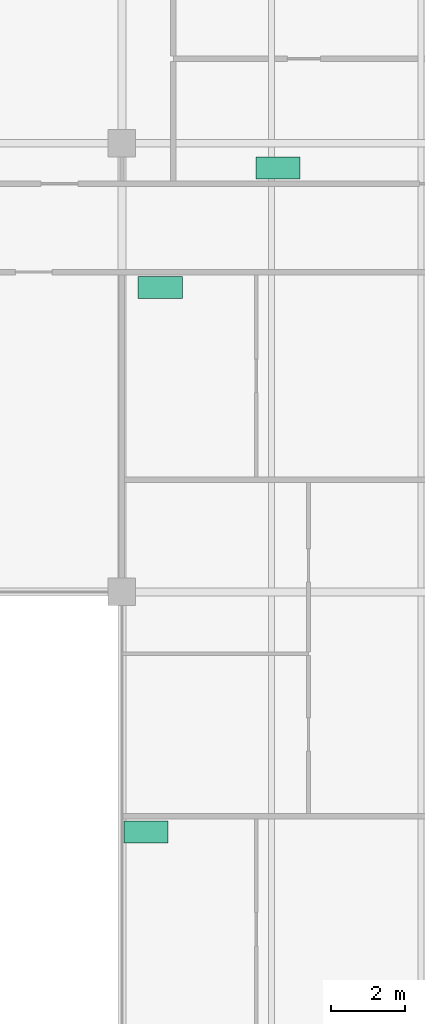
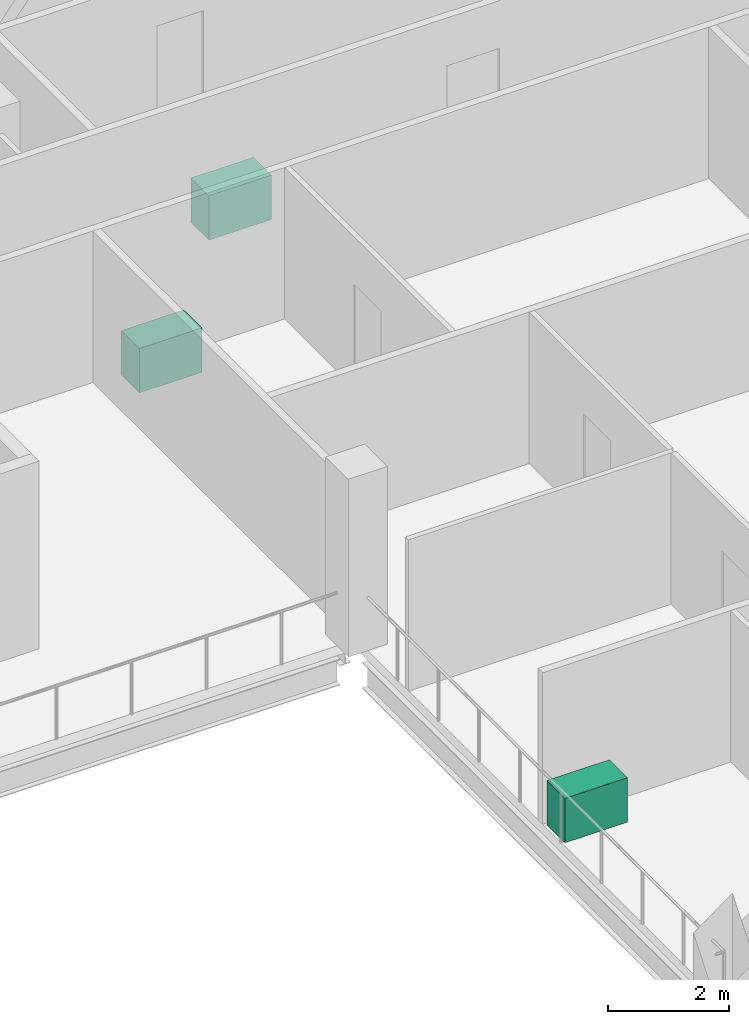
# One storey, part 12 of 12: 3 sanitary terminals.
"""IFC4 building model written with IfcOpenShell, lengths in metres."""

from ifc_helpers import new_model, si_unit, direction, frame, origin, origin_2d, place, context, subcontext, project, spatial, rectangle, extrude, material, type_object, element, save


model = new_model("IFC4")

# Units and contexts
model_context = context("Model", 3, precision=1e-05, world=origin(), true_north=direction((0.0, 1.0)))
body_context = subcontext(model_context, "Body", "Model", "MODEL_VIEW")
ifc_project = project(units=[si_unit("LENGTHUNIT", "METRE"), si_unit("AREAUNIT", "SQUARE_METRE"), si_unit("VOLUMEUNIT", "CUBIC_METRE"), si_unit("PLANEANGLEUNIT", "RADIAN"), si_unit("MASSUNIT", "GRAM", prefix="KILO")], contexts=[model_context])

# Site, building, storey
site_placement = place(None, origin())
site = spatial("IfcSite", under=ifc_project, at=site_placement, CompositionType="ELEMENT")
building_placement = place(site_placement, origin())
building = spatial("IfcBuilding", under=site, at=building_placement, Name="Tessera Gate Towers", CompositionType="ELEMENT")
storey_placement = place(building_placement, frame((0.0, 0.0, 163.0)))
storey = spatial("IfcBuildingStorey", under=building, at=storey_placement, Name="L40", CompositionType="ELEMENT", Elevation=163.0)

# Sanitary terminals
ifc_material = material(Name="Vitreous china")
sanitary_terminal_type = type_object("IfcSanitaryTerminalType", Name="LABORATORY SINK 1200x600", PredefinedType="SINK", material=ifc_material)
for number, where, z_axis, x_axis, name in (
    (1, (16.449951171875, 48.125, 0.0), (0.0, 0.0, 1.0), (1.0, 0.0, 0.0), "Laboratory sink"),
    (2, (12.85009765625, 30.074951171875, 0.0), (0.0, 0.0, 1.0), (1.0, 0.0, 0.0), "Laboratory sink"),
    (3, (13.241943359375, 44.875, 0.0), (0.0, 0.0, 1.0), (1.0, 0.0, 0.0), "Laboratory sink"),
):
    element("IfcSanitaryTerminal", number, at=place(storey_placement, frame(where, z_axis=z_axis, x_axis=x_axis)), inside=storey, type_object=sanitary_terminal_type, Name=name, PredefinedType="SINK", context=body_context, shape_type="SweptSolid", body=[
        extrude(rectangle(XDim=1.199951171875, YDim=0.60009765625, at=origin_2d()), origin(), (0.0, 0.0, 1.0), 0.89990234375),
    ])

save(model, "model.ifc")
